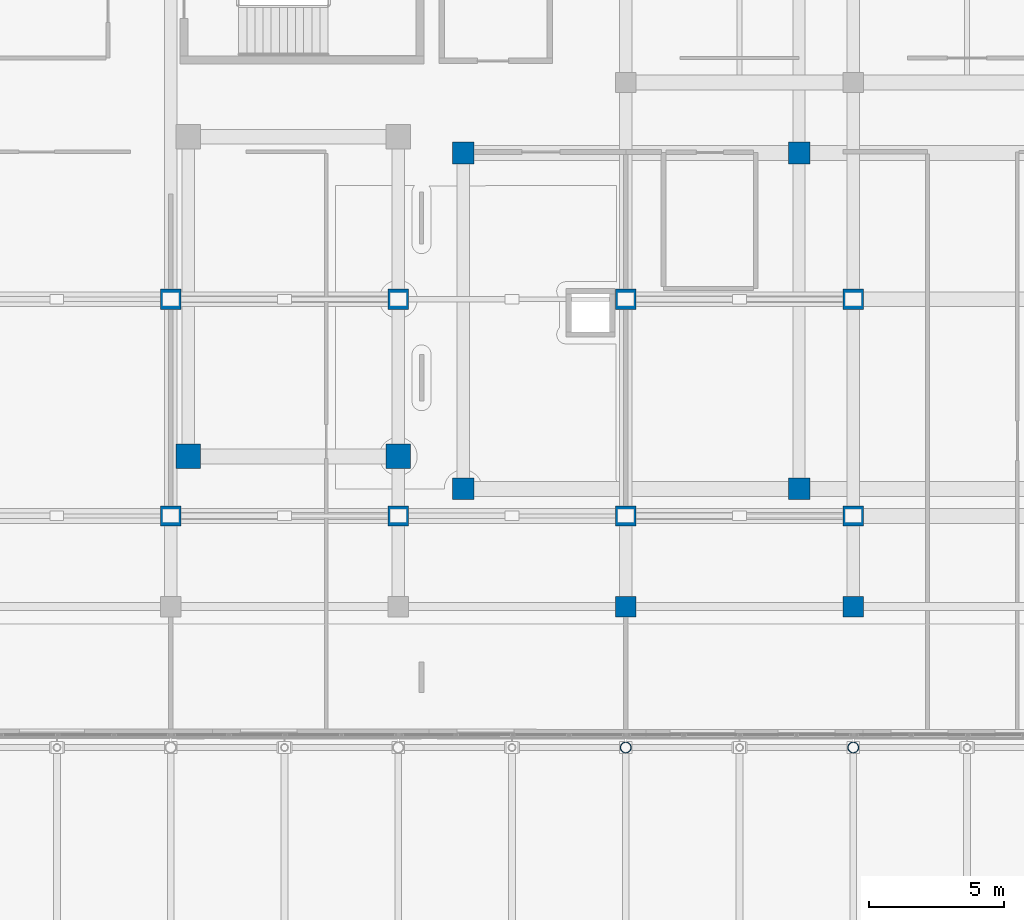
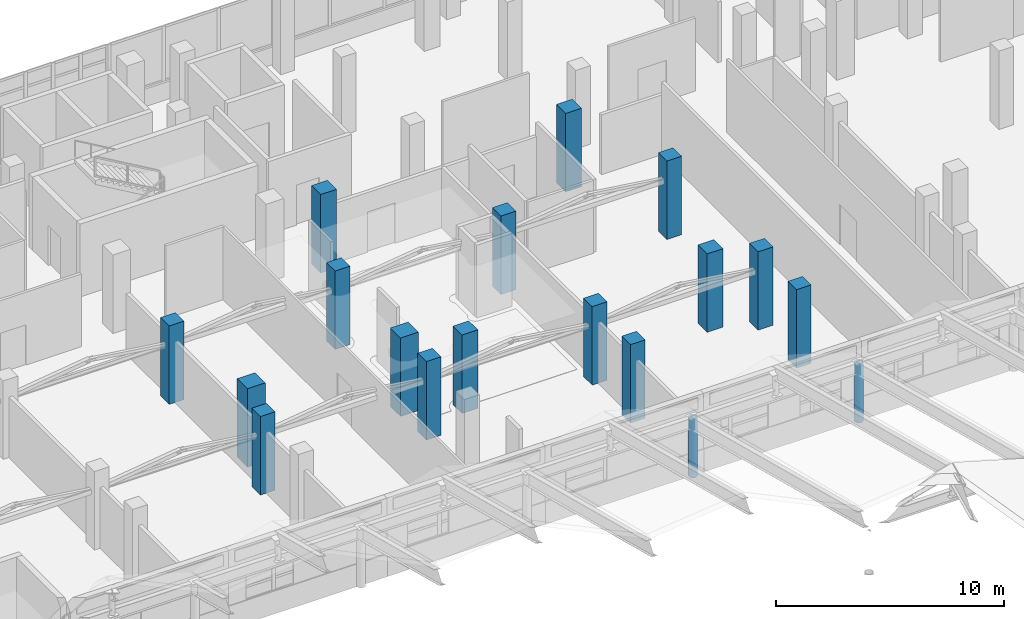
# One storey, part 8 of 184: 18 columns.
"""IFC4 building model written with IfcOpenShell, lengths in metres."""

from ifc_helpers import new_model, si_unit, direction, frame, origin, origin_2d, place, context, subcontext, project, spatial, rectangle, hollow_circle, extrude, material, material_profile, profile_set, type_object, element, save


model = new_model("IFC4")

# Units and contexts
model_context = context("Model", 3, precision=1e-05, world=origin(), true_north=direction((0.0, 1.0)))
body_context = subcontext(model_context, "Body", "Model", "MODEL_VIEW")
ifc_project = project(units=[si_unit("LENGTHUNIT", "METRE"), si_unit("AREAUNIT", "SQUARE_METRE"), si_unit("VOLUMEUNIT", "CUBIC_METRE"), si_unit("PLANEANGLEUNIT", "RADIAN"), si_unit("MASSUNIT", "GRAM", prefix="KILO")], contexts=[model_context])

# Site, building, storey
site_placement = place(None, origin())
site = spatial("IfcSite", under=ifc_project, at=site_placement, CompositionType="ELEMENT")
building_placement = place(site_placement, origin())
building = spatial("IfcBuilding", under=site, at=building_placement, Name="Selatvlak General Hospital", CompositionType="ELEMENT")
storey_placement = place(building_placement, frame((0.0, 0.0, 15.0)))
storey = spatial("IfcBuildingStorey", under=building, at=storey_placement, Name="L03", CompositionType="ELEMENT", Elevation=15.0)

# Columns
ifc_material_1 = material(Name="Steel S355", Category="steel")
ifc_material_profile_1 = material_profile(ifc_material_1, hollow_circle(Radius=0.203125, WallThickness=0.01611328125, at=origin_2d()), Name="CHS 406.4x16")
ifc_profile_set_1 = profile_set([ifc_material_profile_1], Name="Steel S355")
column_type_1 = type_object("IfcColumnType", Name="COL-CHS406", PredefinedType="COLUMN", material=ifc_profile_set_1)
for number, where, z_axis, x_axis, name in (
    (1, (64.800048828125, 83.449951171875, 0.0), (0.0, 0.0, 1.0), (1.0, 0.0, 0.0), "Column 018 on L03"),
    (2, (73.199951171875, 83.449951171875, 0.0), (0.0, 0.0, 1.0), (1.0, 0.0, 0.0), "Column 021 on L03"),
):
    element("IfcColumn", number, at=place(storey_placement, frame(where, z_axis=z_axis, x_axis=x_axis)), inside=storey, type_object=column_type_1, Name=name, PredefinedType="COLUMN", context=body_context, shape_type="SweptSolid", body=[
        extrude(hollow_circle(Radius=0.203125, WallThickness=0.01611328125, at=origin_2d()), origin(), (0.0, 0.0, 1.0), 3.155029296875),
    ])
ifc_material_2 = material(Name="Concrete C50/60", Category="concrete")
ifc_material_profile_2 = material_profile(ifc_material_2, rectangle(XDim=0.75, YDim=0.75, at=origin_2d()), Name="RC-COL 750x750")
ifc_profile_set_2 = profile_set([ifc_material_profile_2], Name="Concrete C50/60")
column_type_2 = type_object("IfcColumnType", Name="COL-RC75", PredefinedType="COLUMN", material=ifc_profile_set_2)
for number, where, z_axis, x_axis, name in (
    (3, (48.0, 92.0, 0.0), (0.0, 0.0, 1.0), (1.0, 0.0, 0.0), "Column 178 on L03"),
    (4, (48.0, 100.0, 0.0), (0.0, 0.0, 1.0), (1.0, 0.0, 0.0), "Column 179 on L03"),
    (5, (56.39990234375, 92.0, 0.0), (0.0, 0.0, 1.0), (1.0, 0.0, 0.0), "Column 182 on L03"),
    (6, (56.39990234375, 100.0, 0.0), (0.0, 0.0, 1.0), (1.0, 0.0, 0.0), "Column 183 on L03"),
    (7, (64.800048828125, 88.64990234375, 0.0), (0.0, 0.0, 1.0), (1.0, 0.0, 0.0), "Column 186 on L03"),
    (8, (64.800048828125, 92.0, 0.0), (0.0, 0.0, 1.0), (1.0, 0.0, 0.0), "Column 187 on L03"),
    (9, (64.800048828125, 100.0, 0.0), (0.0, 0.0, 1.0), (1.0, 0.0, 0.0), "Column 188 on L03"),
    (10, (73.199951171875, 88.64990234375, 0.0), (0.0, 0.0, 1.0), (1.0, 0.0, 0.0), "Column 192 on L03"),
    (11, (73.199951171875, 92.0, 0.0), (0.0, 0.0, 1.0), (1.0, 0.0, 0.0), "Column 193 on L03"),
    (12, (73.199951171875, 100.0, 0.0), (0.0, 0.0, 1.0), (1.0, 0.0, 0.0), "Column 194 on L03"),
):
    element("IfcColumn", number, at=place(storey_placement, frame(where, z_axis=z_axis, x_axis=x_axis)), inside=storey, type_object=column_type_2, Name=name, PredefinedType="COLUMN", context=body_context, shape_type="SweptSolid", body=[
        extrude(rectangle(XDim=0.75, YDim=0.75, at=origin_2d()), origin(), (0.0, 0.0, 1.0), 4.199951171875),
    ])
ifc_material_profile_3 = material_profile(ifc_material_2, rectangle(XDim=0.800048828125, YDim=0.800048828125, at=origin_2d()), Name="RC-COL 800x800")
ifc_profile_set_3 = profile_set([ifc_material_profile_3], Name="Concrete C50/60")
column_type_3 = type_object("IfcColumnType", Name="COL-RC80", PredefinedType="COLUMN", material=ifc_profile_set_3)
for number, where, z_axis, x_axis, name in (
    (13, (58.800048828125, 93.0, 0.0), (0.0, 0.0, 1.0), (1.0, 0.0, 0.0), "Column 037 on L03"),
    (14, (58.800048828125, 105.39990234375, 0.0), (0.0, 0.0, 1.0), (1.0, 0.0, 0.0), "Column 038 on L03"),
    (15, (71.199951171875, 93.0, 0.0), (0.0, 0.0, 1.0), (1.0, 0.0, 0.0), "Column 040 on L03"),
    (16, (71.199951171875, 105.39990234375, 0.0), (0.0, 0.0, 1.0), (1.0, 0.0, 0.0), "Column 041 on L03"),
):
    element("IfcColumn", number, at=place(storey_placement, frame(where, z_axis=z_axis, x_axis=x_axis)), inside=storey, type_object=column_type_3, Name=name, PredefinedType="COLUMN", context=body_context, shape_type="SweptSolid", body=[
        extrude(rectangle(XDim=0.800048828125, YDim=0.800048828125, at=origin_2d()), origin(), (0.0, 0.0, 1.0), 4.199951171875),
    ])
ifc_material_profile_4 = material_profile(ifc_material_2, rectangle(XDim=0.89990234375, YDim=0.89990234375, at=origin_2d()), Name="RC-COL 900x900")
ifc_profile_set_4 = profile_set([ifc_material_profile_4], Name="Concrete C50/60")
column_type_4 = type_object("IfcColumnType", Name="COL-RC90", PredefinedType="COLUMN", material=ifc_profile_set_4)
for number, where, z_axis, x_axis, name in (
    (17, (48.64990234375, 94.199951171875, 0.0), (0.0, 0.0, 1.0), (1.0, 0.0, 0.0), "Column 046 on L03"),
    (18, (56.39990234375, 94.199951171875, 0.0), (0.0, 0.0, 1.0), (1.0, 0.0, 0.0), "Column 047 on L03"),
):
    element("IfcColumn", number, at=place(storey_placement, frame(where, z_axis=z_axis, x_axis=x_axis)), inside=storey, type_object=column_type_4, Name=name, PredefinedType="COLUMN", context=body_context, shape_type="SweptSolid", body=[
        extrude(rectangle(XDim=0.89990234375, YDim=0.89990234375, at=origin_2d()), origin(), (0.0, 0.0, 1.0), 4.199951171875),
    ])

save(model, "model.ifc")
